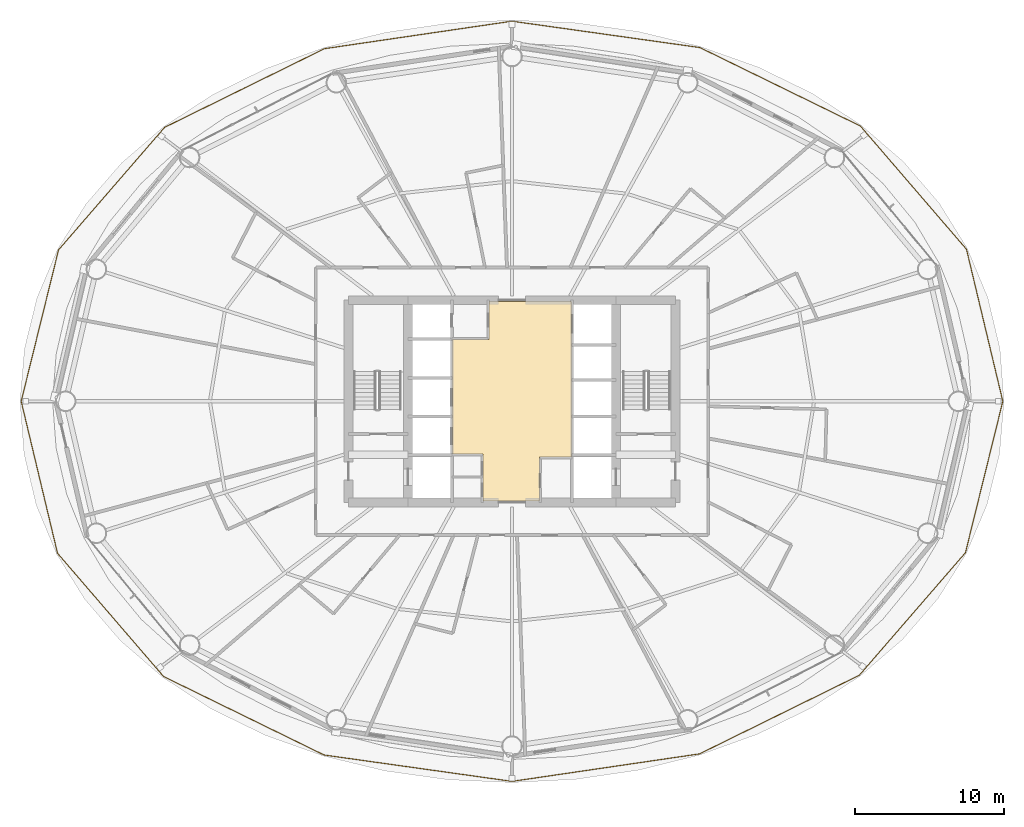
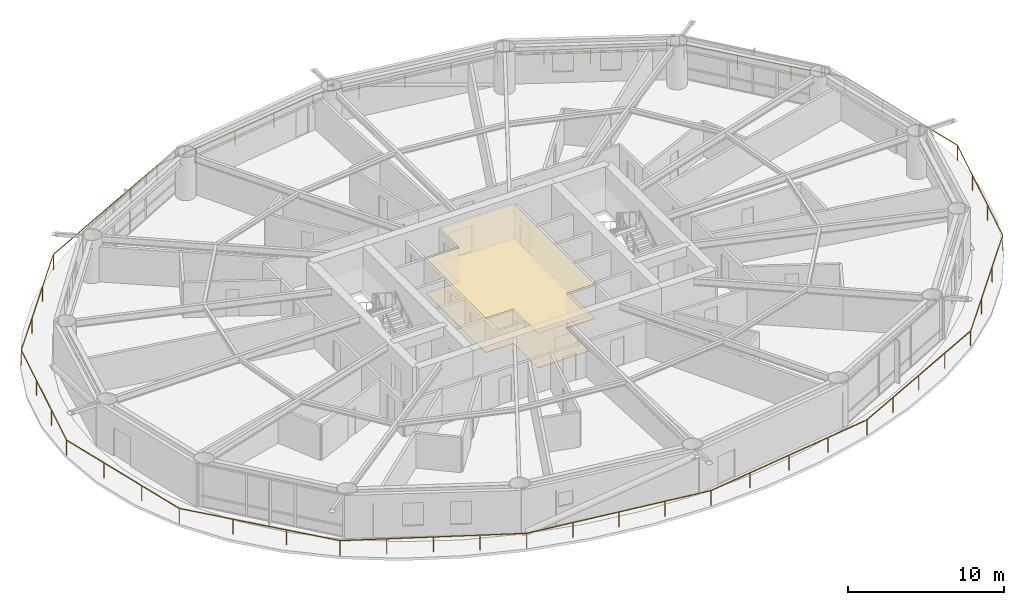
# One storey, part 25 of 26: 2 coverings, 1 railing.
"""IFC4 building model written with IfcOpenShell, lengths in metres."""

from ifc_helpers import new_model, si_unit, direction, frame, origin, origin_2d, place, context, subcontext, project, spatial, polyline, rectangle, outline, extrude, material, layer, layer_set, type_object, element, save


model = new_model("IFC4")

# Units and contexts
model_context = context("Model", 3, precision=1e-05, world=origin(), true_north=direction((0.0, 1.0)))
body_context = subcontext(model_context, "Body", "Model", "MODEL_VIEW")
ifc_project = project(units=[si_unit("LENGTHUNIT", "METRE"), si_unit("AREAUNIT", "SQUARE_METRE"), si_unit("VOLUMEUNIT", "CUBIC_METRE"), si_unit("PLANEANGLEUNIT", "RADIAN"), si_unit("MASSUNIT", "GRAM", prefix="KILO")], contexts=[model_context])

# Site, building, storey
site_placement = place(None, origin())
site = spatial("IfcSite", under=ifc_project, at=site_placement, CompositionType="ELEMENT")
building_placement = place(site_placement, origin())
building = spatial("IfcBuilding", under=site, at=building_placement, Name="Sarneth Arch Tower", CompositionType="ELEMENT")
storey_placement = place(building_placement, frame((0.0, 0.0, 46.199951171875)))
storey = spatial("IfcBuildingStorey", under=building, at=storey_placement, Name="L10", CompositionType="ELEMENT", Elevation=46.199951171875)

# Coverings
ifc_material_1 = material(Name="Perforated acoustic gypsum ceiling board")
ifc_layer_1 = layer(ifc_material_1, 0.02490234375)
ifc_layer_set_1 = layer_set([ifc_layer_1], Name="Perforated acoustic gypsum ceiling board")
covering_type_1 = type_object("IfcCoveringType", Name="COV-CEIL-GYP", PredefinedType="CEILING", material=ifc_layer_set_1)
covering_1_placement = place(storey_placement, frame((0.0, 0.0, 2.7099609375)))
element("IfcCovering", 1, at=covering_1_placement, inside=storey, type_object=covering_type_1, Name="L10 Lift lobby acoustic ceiling", PredefinedType="CEILING", context=body_context, shape_type="SweptSolid", body=[
    extrude(outline(polyline([(49.85009765625, 38.25), (49.85009765625, 35.300048828125), (46.050048828125, 35.300048828125), (46.050048828125, 38.449951171875), (44.0, 38.449951171875), (44.0, 46.14990234375), (46.449951171875, 46.14990234375), (46.449951171875, 48.699951171875), (52.0, 48.699951171875), (52.0, 38.25), (49.85009765625, 38.25)])), origin(), (0.0, 0.0, 1.0), 0.030029296875),
])
ifc_material_2 = material(Name="Honed granite stone flooring", Category="masonry")
ifc_layer_2 = layer(ifc_material_2, 0.030029296875)
ifc_layer_set_2 = layer_set([ifc_layer_2], Name="Honed granite stone flooring")
covering_type_2 = type_object("IfcCoveringType", Name="COV-FLR-STONE", PredefinedType="FLOORING", material=ifc_layer_set_2)
covering_2_placement = place(storey_placement, origin())
element("IfcCovering", 2, at=covering_2_placement, inside=storey, type_object=covering_type_2, Name="L10 Lift lobby granite flooring", PredefinedType="FLOORING", context=body_context, shape_type="SweptSolid", body=[
    extrude(outline(polyline([(49.85009765625, 38.25), (49.85009765625, 35.300048828125), (46.050048828125, 35.300048828125), (46.050048828125, 38.449951171875), (44.0, 38.449951171875), (44.0, 46.14990234375), (46.449951171875, 46.14990234375), (46.449951171875, 48.699951171875), (52.0, 48.699951171875), (52.0, 38.25), (49.85009765625, 38.25)])), origin(), (0.0, 0.0, 1.0), 0.030029296875),
])

# Railing
ifc_material_3 = material(Name="Laminated structural glass infill with Stainless Steel 316 top rail and posts", Category="steel")
railing_type = type_object("IfcRailingType", Name="RAIL-BALC-1200", PredefinedType="BALUSTRADE", material=ifc_material_3)
railing_placement = place(storey_placement, frame((81.024658203125, 42.0, 0.0)))
element("IfcRailing", 3, at=railing_placement, inside=storey, type_object=railing_type, Name="L10 Helical balcony glass balustrade", PredefinedType="BALUSTRADE", context=body_context, shape_type="SweptSolid", body=[
    extrude(rectangle(XDim=0.048095703125, YDim=0.048095703125, at=origin_2d()), frame((0.0, 0.0, 1.17578125), z_axis=(-0.232481544276, 0.972600807922, 0.0), x_axis=(-0.972600807922, -0.232481544276, 0.0)), (0.0, 0.0, 1.0), 10.51513671875),
    extrude(rectangle(XDim=0.048095703125, YDim=0.048095703125, at=origin_2d()), frame((-2.444580078125, 10.22705078125, 1.17578125), z_axis=(-0.652344466831, 0.757922619134, 0.0), x_axis=(-0.757922619134, -0.652344466831, 0.0)), (0.0, 0.0, 1.0), 10.9423828125),
    extrude(rectangle(XDim=0.048095703125, YDim=0.048095703125, at=origin_2d()), frame((-9.582763671875, 18.5205078125, 1.17578125), z_axis=(-0.898364769302, 0.439250203503, 0.0), x_axis=(-0.439250203503, -0.898364769302, 0.0)), (0.0, 0.0, 1.0), 12.02001953125),
    extrude(rectangle(XDim=0.048095703125, YDim=0.048095703125, at=origin_2d()), frame((-20.381103515625, 23.80029296875, 1.17578125), z_axis=(-0.990292638043, 0.138998169189, 0.0), x_axis=(-0.138998169189, -0.990292638043, 0.0)), (0.0, 0.0, 1.0), 12.767578125),
    extrude(rectangle(XDim=0.048095703125, YDim=0.048095703125, at=origin_2d()), frame((-33.024658203125, 25.574951171875, 1.17578125), z_axis=(-0.989415463932, -0.145110439777, 0.0), x_axis=(0.145110439777, -0.989415463932, 0.0)), (0.0, 0.0, 1.0), 12.754638671875),
    extrude(rectangle(XDim=0.048095703125, YDim=0.048095703125, at=origin_2d()), frame((-45.644287109375, 23.72412109375, 1.17578125), z_axis=(-0.897196129295, -0.441632319444, 0.0), x_axis=(0.441632319444, -0.897196129295, 0.0)), (0.0, 0.0, 1.0), 11.986572265625),
    extrude(rectangle(XDim=0.048095703125, YDim=0.048095703125, at=origin_2d()), frame((-56.398681640625, 18.430419921875, 1.17578125), z_axis=(-0.65455278477, -0.756016304024, 0.0), x_axis=(0.756016304024, -0.65455278477, 0.0)), (0.0, 0.0, 1.0), 10.90234375),
    extrude(rectangle(XDim=0.048095703125, YDim=0.048095703125, at=origin_2d()), frame((-63.534912109375, 10.18798828125, 1.17578125), z_axis=(-0.239611283577, -0.970868906075, 0.0), x_axis=(0.970868906075, -0.239611283577, 0.0)), (0.0, 0.0, 1.0), 10.49365234375),
    extrude(rectangle(XDim=0.048095703125, YDim=0.048095703125, at=origin_2d()), frame((-66.04931640625, 0.0, 1.17578125), z_axis=(0.232481544276, -0.972600807922, 0.0), x_axis=(0.972600807922, 0.232481544276, 0.0)), (0.0, 0.0, 1.0), 10.51513671875),
    extrude(rectangle(XDim=0.048095703125, YDim=0.048095703125, at=origin_2d()), frame((-63.604736328125, -10.22705078125, 1.17578125), z_axis=(0.652344466831, -0.757922619134, 0.0), x_axis=(0.757922619134, 0.652344466831, 0.0)), (0.0, 0.0, 1.0), 10.9423828125),
    extrude(rectangle(XDim=0.048095703125, YDim=0.048095703125, at=origin_2d()), frame((-56.466552734375, -18.5205078125, 1.17578125), z_axis=(0.898364769302, -0.439250203503, 0.0), x_axis=(0.439250203503, 0.898364769302, 0.0)), (0.0, 0.0, 1.0), 12.02001953125),
    extrude(rectangle(XDim=0.048095703125, YDim=0.048095703125, at=origin_2d()), frame((-45.668212890625, -23.80029296875, 1.17578125), z_axis=(0.990292638043, -0.138998169189, 0.0), x_axis=(0.138998169189, 0.990292638043, 0.0)), (0.0, 0.0, 1.0), 12.767578125),
    extrude(rectangle(XDim=0.048095703125, YDim=0.048095703125, at=origin_2d()), frame((-33.024658203125, -25.574951171875, 1.17578125), z_axis=(0.989415463932, 0.145110439777, 0.0), x_axis=(-0.145110439777, 0.989415463932, 0.0)), (0.0, 0.0, 1.0), 12.754638671875),
    extrude(rectangle(XDim=0.048095703125, YDim=0.048095703125, at=origin_2d()), frame((-20.405029296875, -23.72412109375, 1.17578125), z_axis=(0.897196129295, 0.441632319444, 0.0), x_axis=(-0.441632319444, 0.897196129295, 0.0)), (0.0, 0.0, 1.0), 11.986572265625),
    extrude(rectangle(XDim=0.048095703125, YDim=0.048095703125, at=origin_2d()), frame((-9.650634765625, -18.430419921875, 1.17578125), z_axis=(0.65455278477, 0.756016304024, 0.0), x_axis=(-0.756016304024, 0.65455278477, 0.0)), (0.0, 0.0, 1.0), 10.90234375),
    extrude(rectangle(XDim=0.048095703125, YDim=0.048095703125, at=origin_2d()), frame((-2.514404296875, -10.18798828125, 1.17578125), z_axis=(0.239611283577, 0.970868906075, 0.0), x_axis=(-0.970868906075, 0.239611283577, 0.0)), (0.0, 0.0, 1.0), 10.49365234375),
    extrude(rectangle(XDim=0.0419921875, YDim=0.0419921875, at=origin_2d()), origin(), (0.0, 0.0, 1.0), 1.15185546875),
    extrude(rectangle(XDim=0.0419921875, YDim=0.0419921875, at=origin_2d()), frame((-0.81494140625, 3.408935546875, 0.0)), (0.0, 0.0, 1.0), 1.15185546875),
    extrude(rectangle(XDim=0.0419921875, YDim=0.0419921875, at=origin_2d()), frame((-1.629638671875, 6.818115234375, 0.0)), (0.0, 0.0, 1.0), 1.15185546875),
    extrude(rectangle(XDim=0.0419921875, YDim=0.0419921875, at=origin_2d()), frame((-2.444580078125, 10.22705078125, 0.0)), (0.0, 0.0, 1.0), 1.15185546875),
    extrude(rectangle(XDim=0.0419921875, YDim=0.0419921875, at=origin_2d()), frame((-4.823974609375, 12.991455078125, 0.0)), (0.0, 0.0, 1.0), 1.15185546875),
    extrude(rectangle(XDim=0.0419921875, YDim=0.0419921875, at=origin_2d()), frame((-7.203369140625, 15.756103515625, 0.0)), (0.0, 0.0, 1.0), 1.15185546875),
    extrude(rectangle(XDim=0.0419921875, YDim=0.0419921875, at=origin_2d()), frame((-9.582763671875, 18.5205078125, 0.0)), (0.0, 0.0, 1.0), 1.15185546875),
    extrude(rectangle(XDim=0.0419921875, YDim=0.0419921875, at=origin_2d()), frame((-12.2822265625, 19.84033203125, 0.0)), (0.0, 0.0, 1.0), 1.15185546875),
    extrude(rectangle(XDim=0.0419921875, YDim=0.0419921875, at=origin_2d()), frame((-14.98193359375, 21.160400390625, 0.0)), (0.0, 0.0, 1.0), 1.15185546875),
    extrude(rectangle(XDim=0.0419921875, YDim=0.0419921875, at=origin_2d()), frame((-17.681640625, 22.48046875, 0.0)), (0.0, 0.0, 1.0), 1.15185546875),
    extrude(rectangle(XDim=0.0419921875, YDim=0.0419921875, at=origin_2d()), frame((-20.381103515625, 23.80029296875, 0.0)), (0.0, 0.0, 1.0), 1.15185546875),
    extrude(rectangle(XDim=0.0419921875, YDim=0.0419921875, at=origin_2d()), frame((-23.5419921875, 24.243896484375, 0.0)), (0.0, 0.0, 1.0), 1.15185546875),
    extrude(rectangle(XDim=0.0419921875, YDim=0.0419921875, at=origin_2d()), frame((-26.702880859375, 24.6875, 0.0)), (0.0, 0.0, 1.0), 1.15185546875),
    extrude(rectangle(XDim=0.0419921875, YDim=0.0419921875, at=origin_2d()), frame((-29.86376953125, 25.13134765625, 0.0)), (0.0, 0.0, 1.0), 1.15185546875),
    extrude(rectangle(XDim=0.0419921875, YDim=0.0419921875, at=origin_2d()), frame((-33.024658203125, 25.574951171875, 0.0)), (0.0, 0.0, 1.0), 1.15185546875),
    extrude(rectangle(XDim=0.0419921875, YDim=0.0419921875, at=origin_2d()), frame((-36.1796875, 25.1123046875, 0.0)), (0.0, 0.0, 1.0), 1.15185546875),
    extrude(rectangle(XDim=0.0419921875, YDim=0.0419921875, at=origin_2d()), frame((-39.33447265625, 24.6494140625, 0.0)), (0.0, 0.0, 1.0), 1.15185546875),
    extrude(rectangle(XDim=0.0419921875, YDim=0.0419921875, at=origin_2d()), frame((-42.4892578125, 24.186767578125, 0.0)), (0.0, 0.0, 1.0), 1.15185546875),
    extrude(rectangle(XDim=0.0419921875, YDim=0.0419921875, at=origin_2d()), frame((-45.644287109375, 23.72412109375, 0.0)), (0.0, 0.0, 1.0), 1.15185546875),
    extrude(rectangle(XDim=0.0419921875, YDim=0.0419921875, at=origin_2d()), frame((-48.3330078125, 22.400634765625, 0.0)), (0.0, 0.0, 1.0), 1.15185546875),
    extrude(rectangle(XDim=0.0419921875, YDim=0.0419921875, at=origin_2d()), frame((-51.021484375, 21.0771484375, 0.0)), (0.0, 0.0, 1.0), 1.15185546875),
    extrude(rectangle(XDim=0.0419921875, YDim=0.0419921875, at=origin_2d()), frame((-53.7099609375, 19.75390625, 0.0)), (0.0, 0.0, 1.0), 1.15185546875),
    extrude(rectangle(XDim=0.0419921875, YDim=0.0419921875, at=origin_2d()), frame((-56.398681640625, 18.430419921875, 0.0)), (0.0, 0.0, 1.0), 1.15185546875),
    extrude(rectangle(XDim=0.0419921875, YDim=0.0419921875, at=origin_2d()), frame((-58.77734375, 15.682861328125, 0.0)), (0.0, 0.0, 1.0), 1.15185546875),
    extrude(rectangle(XDim=0.0419921875, YDim=0.0419921875, at=origin_2d()), frame((-61.15625, 12.935546875, 0.0)), (0.0, 0.0, 1.0), 1.15185546875),
    extrude(rectangle(XDim=0.0419921875, YDim=0.0419921875, at=origin_2d()), frame((-63.534912109375, 10.18798828125, 0.0)), (0.0, 0.0, 1.0), 1.15185546875),
    extrude(rectangle(XDim=0.0419921875, YDim=0.0419921875, at=origin_2d()), frame((-64.373046875, 6.7919921875, 0.0)), (0.0, 0.0, 1.0), 1.15185546875),
    extrude(rectangle(XDim=0.0419921875, YDim=0.0419921875, at=origin_2d()), frame((-65.211181640625, 3.39599609375, 0.0)), (0.0, 0.0, 1.0), 1.15185546875),
    extrude(rectangle(XDim=0.0419921875, YDim=0.0419921875, at=origin_2d()), frame((-66.04931640625, 0.0, 0.0)), (0.0, 0.0, 1.0), 1.15185546875),
    extrude(rectangle(XDim=0.0419921875, YDim=0.0419921875, at=origin_2d()), frame((-65.234375, -3.408935546875, 0.0)), (0.0, 0.0, 1.0), 1.15185546875),
    extrude(rectangle(XDim=0.0419921875, YDim=0.0419921875, at=origin_2d()), frame((-64.419677734375, -6.818115234375, 0.0)), (0.0, 0.0, 1.0), 1.15185546875),
    extrude(rectangle(XDim=0.0419921875, YDim=0.0419921875, at=origin_2d()), frame((-63.604736328125, -10.22705078125, 0.0)), (0.0, 0.0, 1.0), 1.15185546875),
    extrude(rectangle(XDim=0.0419921875, YDim=0.0419921875, at=origin_2d()), frame((-61.225341796875, -12.991455078125, 0.0)), (0.0, 0.0, 1.0), 1.15185546875),
    extrude(rectangle(XDim=0.0419921875, YDim=0.0419921875, at=origin_2d()), frame((-58.845947265625, -15.756103515625, 0.0)), (0.0, 0.0, 1.0), 1.15185546875),
    extrude(rectangle(XDim=0.0419921875, YDim=0.0419921875, at=origin_2d()), frame((-56.466552734375, -18.5205078125, 0.0)), (0.0, 0.0, 1.0), 1.15185546875),
    extrude(rectangle(XDim=0.0419921875, YDim=0.0419921875, at=origin_2d()), frame((-53.76708984375, -19.84033203125, 0.0)), (0.0, 0.0, 1.0), 1.15185546875),
    extrude(rectangle(XDim=0.0419921875, YDim=0.0419921875, at=origin_2d()), frame((-51.0673828125, -21.160400390625, 0.0)), (0.0, 0.0, 1.0), 1.15185546875),
    extrude(rectangle(XDim=0.0419921875, YDim=0.0419921875, at=origin_2d()), frame((-48.36767578125, -22.48046875, 0.0)), (0.0, 0.0, 1.0), 1.15185546875),
    extrude(rectangle(XDim=0.0419921875, YDim=0.0419921875, at=origin_2d()), frame((-45.668212890625, -23.80029296875, 0.0)), (0.0, 0.0, 1.0), 1.15185546875),
    extrude(rectangle(XDim=0.0419921875, YDim=0.0419921875, at=origin_2d()), frame((-42.50732421875, -24.243896484375, 0.0)), (0.0, 0.0, 1.0), 1.15185546875),
    extrude(rectangle(XDim=0.0419921875, YDim=0.0419921875, at=origin_2d()), frame((-39.346435546875, -24.6875, 0.0)), (0.0, 0.0, 1.0), 1.15185546875),
    extrude(rectangle(XDim=0.0419921875, YDim=0.0419921875, at=origin_2d()), frame((-36.185546875, -25.13134765625, 0.0)), (0.0, 0.0, 1.0), 1.15185546875),
    extrude(rectangle(XDim=0.0419921875, YDim=0.0419921875, at=origin_2d()), frame((-33.024658203125, -25.574951171875, 0.0)), (0.0, 0.0, 1.0), 1.15185546875),
    extrude(rectangle(XDim=0.0419921875, YDim=0.0419921875, at=origin_2d()), frame((-29.86962890625, -25.1123046875, 0.0)), (0.0, 0.0, 1.0), 1.15185546875),
    extrude(rectangle(XDim=0.0419921875, YDim=0.0419921875, at=origin_2d()), frame((-26.71484375, -24.6494140625, 0.0)), (0.0, 0.0, 1.0), 1.15185546875),
    extrude(rectangle(XDim=0.0419921875, YDim=0.0419921875, at=origin_2d()), frame((-23.56005859375, -24.186767578125, 0.0)), (0.0, 0.0, 1.0), 1.15185546875),
    extrude(rectangle(XDim=0.0419921875, YDim=0.0419921875, at=origin_2d()), frame((-20.405029296875, -23.72412109375, 0.0)), (0.0, 0.0, 1.0), 1.15185546875),
    extrude(rectangle(XDim=0.0419921875, YDim=0.0419921875, at=origin_2d()), frame((-17.71630859375, -22.400634765625, 0.0)), (0.0, 0.0, 1.0), 1.15185546875),
    extrude(rectangle(XDim=0.0419921875, YDim=0.0419921875, at=origin_2d()), frame((-15.02783203125, -21.0771484375, 0.0)), (0.0, 0.0, 1.0), 1.15185546875),
    extrude(rectangle(XDim=0.0419921875, YDim=0.0419921875, at=origin_2d()), frame((-12.33935546875, -19.75390625, 0.0)), (0.0, 0.0, 1.0), 1.15185546875),
    extrude(rectangle(XDim=0.0419921875, YDim=0.0419921875, at=origin_2d()), frame((-9.650634765625, -18.430419921875, 0.0)), (0.0, 0.0, 1.0), 1.15185546875),
    extrude(rectangle(XDim=0.0419921875, YDim=0.0419921875, at=origin_2d()), frame((-7.27197265625, -15.682861328125, 0.0)), (0.0, 0.0, 1.0), 1.15185546875),
    extrude(rectangle(XDim=0.0419921875, YDim=0.0419921875, at=origin_2d()), frame((-4.89306640625, -12.935546875, 0.0)), (0.0, 0.0, 1.0), 1.15185546875),
    extrude(rectangle(XDim=0.0419921875, YDim=0.0419921875, at=origin_2d()), frame((-2.514404296875, -10.18798828125, 0.0)), (0.0, 0.0, 1.0), 1.15185546875),
    extrude(rectangle(XDim=0.0419921875, YDim=0.0419921875, at=origin_2d()), frame((-1.67626953125, -6.7919921875, 0.0)), (0.0, 0.0, 1.0), 1.15185546875),
    extrude(rectangle(XDim=0.0419921875, YDim=0.0419921875, at=origin_2d()), frame((-0.838134765625, -3.39599609375, 0.0)), (0.0, 0.0, 1.0), 1.15185546875),
])

save(model, "model.ifc")
